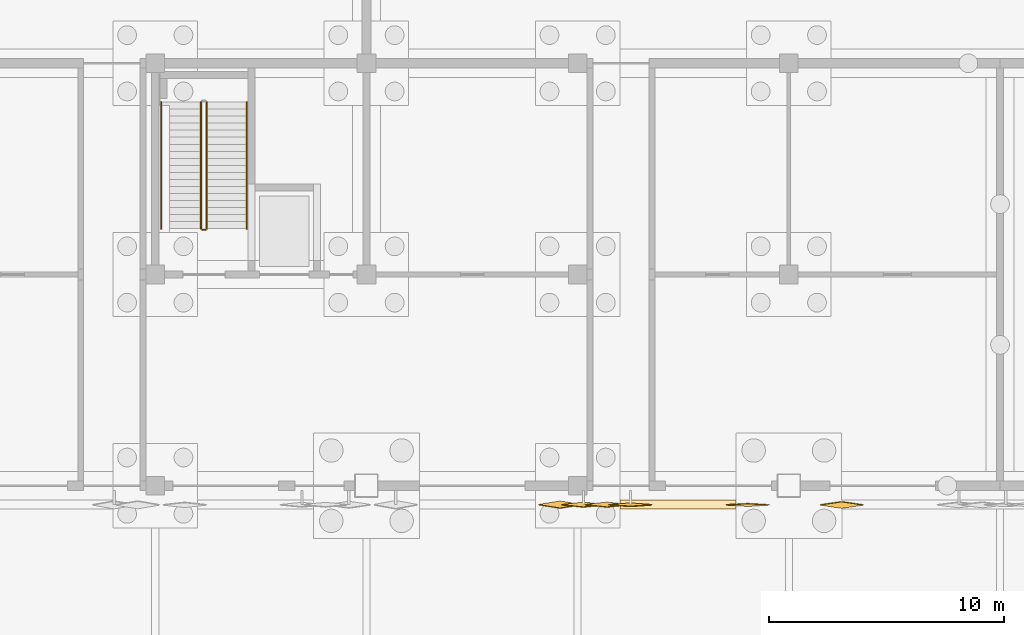
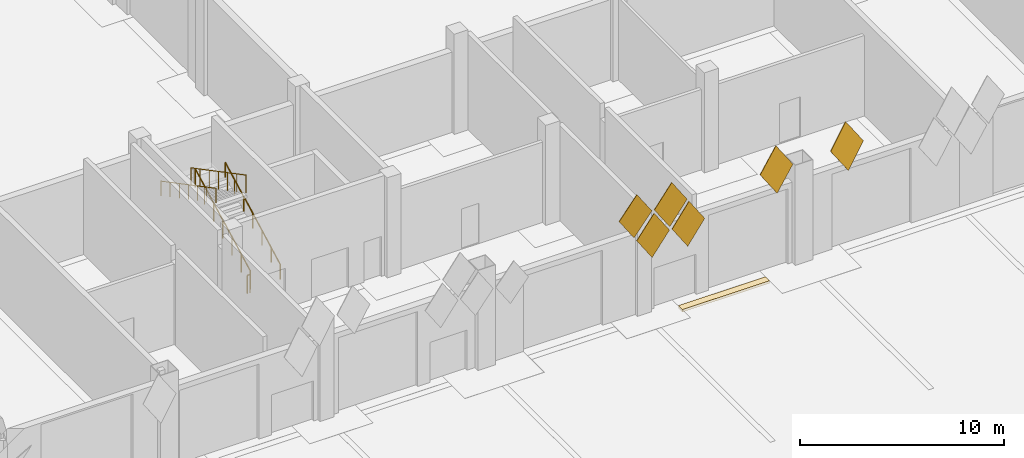
# One storey, part 160 of 198: 7 coverings, 5 railings.
"""IFC4 building model written with IfcOpenShell, lengths in metres."""

from ifc_helpers import new_model, si_unit, direction, frame, origin, origin_2d, place, context, subcontext, project, spatial, polyline, circle, outline, extrude, material, layer, layer_set, constituent, constituent_set, material_profile, profile_set, type_object, element, save


model = new_model("IFC4")

# Units and contexts
model_context = context("Model", 3, precision=1e-05, world=origin(), true_north=direction((0.0, 1.0)))
body_context = subcontext(model_context, "Body", "Model", "MODEL_VIEW")
ifc_project = project(units=[si_unit("LENGTHUNIT", "METRE"), si_unit("AREAUNIT", "SQUARE_METRE"), si_unit("VOLUMEUNIT", "CUBIC_METRE"), si_unit("PLANEANGLEUNIT", "RADIAN"), si_unit("MASSUNIT", "GRAM", prefix="KILO")], contexts=[model_context])

# Site, building, storey
site_placement = place(None, origin())
site = spatial("IfcSite", under=ifc_project, at=site_placement, CompositionType="ELEMENT")
building_placement = place(site_placement, origin())
building = spatial("IfcBuilding", under=site, at=building_placement, Name="Opaline Strait Convention Centre", CompositionType="ELEMENT")
storey_placement = place(building_placement, origin())
storey = spatial("IfcBuildingStorey", under=building, at=storey_placement, Name="L00", CompositionType="ELEMENT", Elevation=0.0)

# Coverings
ifc_material_1 = material(Name="White ceramic-faced aluminium tile", Category="aluminium")
ifc_material_profile_1 = material_profile(ifc_material_1, outline(polyline([(0.927978515625, 0.0), (0.0, 1.39208984375), (-0.927978515625, 0.0), (0.0, -1.39208984375), (0.927978515625, 0.0)])), Name="Diamond tile 1856x2784")
ifc_profile_set_1 = profile_set([ifc_material_profile_1], Name="White ceramic-faced aluminium tile")
covering_type_1 = type_object("IfcCoveringType", Name="Diamond wall tile 1856x2784x30 pivot 2.5 deg", PredefinedType="CLADDING", material=ifc_profile_set_1)
for number, where, z_axis, x_axis, name in (
    (1, (218.25, 53.199951171875, 4.89208984375), (0.0, -0.998812351125, -0.048722553713), (1.0, 0.0, 0.0), "Wall tile XT05 S"),
    (2, (223.25, 53.199951171875, 6.39208984375), (0.0, -0.999174794796, 0.040616861577), (1.0, 0.0, 0.0), "Wall tile XT05 S"),
):
    element("IfcCovering", number, at=place(storey_placement, frame(where, z_axis=z_axis, x_axis=x_axis)), inside=storey, type_object=covering_type_1, Name=name, PredefinedType="CLADDING", context=body_context, shape_type="SweptSolid", body=[
        extrude(outline(polyline([(0.927978515625, 0.0), (0.0, 1.39208984375), (-0.927978515625, 0.0), (0.0, -1.39208984375), (0.927978515625, 0.0)])), origin(), (0.0, 0.0, 1.0), 0.030029296875),
    ])
ifc_material_profile_2 = material_profile(ifc_material_1, outline(polyline([(0.927978515625, 0.0), (0.0, 1.39208984375), (-0.927978515625, 0.0), (0.0, -1.39208984375), (0.927978515625, 0.0)])), Name="Diamond tile 1856x2784")
ifc_profile_set_2 = profile_set([ifc_material_profile_2], Name="White ceramic-faced aluminium tile")
covering_type_2 = type_object("IfcCoveringType", Name="Diamond wall tile 1856x2784x30 pivot 4 deg", PredefinedType="CLADDING", material=ifc_profile_set_2)
for number, where, z_axis, x_axis, name in (
    (3, (216.25, 53.199951171875, 4.89208984375), (0.0, -0.997290013252, -0.073570574748), (1.0, 0.0, 0.0), "Wall tile XT08 S"),
    (4, (217.25, 53.199951171875, 6.39208984375), (0.0, -0.997290013252, -0.073570574748), (1.0, 0.0, 0.0), "Wall tile XT08 S"),
):
    element("IfcCovering", number, at=place(storey_placement, frame(where, z_axis=z_axis, x_axis=x_axis)), inside=storey, type_object=covering_type_2, Name=name, PredefinedType="CLADDING", context=body_context, shape_type="SweptSolid", body=[
        extrude(outline(polyline([(0.927978515625, 0.0), (0.0, 1.39208984375), (-0.927978515625, 0.0), (0.0, -1.39208984375), (0.927978515625, 0.0)])), origin(), (0.0, 0.0, 1.0), 0.02978515625),
    ])
ifc_material_profile_3 = material_profile(ifc_material_1, outline(polyline([(0.927978515625, 0.0), (0.0, 1.39208984375), (-0.927978515625, 0.0), (0.0, -1.39208984375), (0.927978515625, 0.0)])), Name="Diamond tile 1856x2784")
ifc_profile_set_3 = profile_set([ifc_material_profile_3], Name="White ceramic-faced aluminium tile")
covering_type_3 = type_object("IfcCoveringType", Name="Diamond wall tile 1856x2784x30 pivot 6 deg", PredefinedType="CLADDING", material=ifc_profile_set_3)
for number, where, z_axis, x_axis, name in (
    (5, (215.25, 53.199951171875, 6.39208984375), (0.0, -0.994370656274, -0.105957528947), (1.0, 0.0, 0.0), "Wall tile XT12 S"),
    (6, (227.25, 53.199951171875, 6.39208984375), (0.0, -0.995197410875, 0.097888269922), (1.0, 0.0, 0.0), "Wall tile XT12 S"),
):
    element("IfcCovering", number, at=place(storey_placement, frame(where, z_axis=z_axis, x_axis=x_axis)), inside=storey, type_object=covering_type_3, Name=name, PredefinedType="CLADDING", context=body_context, shape_type="SweptSolid", body=[
        extrude(outline(polyline([(0.927978515625, 0.0), (0.0, 1.39208984375), (-0.927978515625, 0.0), (0.0, -1.39208984375), (0.927978515625, 0.0)])), origin(), (0.0, 0.0, 1.0), 0.030029296875),
    ])
ifc_material_2 = material(Name="Concrete C30 exposed aggregate", Category="concrete")
ifc_layer = layer(ifc_material_2, 0.14990234375)
ifc_layer_set = layer_set([ifc_layer], Name="Concrete C30 exposed aggregate")
covering_type_4 = type_object("IfcCoveringType", Name="Site paving 150", PredefinedType="FLOORING", material=ifc_layer_set)
covering_placement = place(storey_placement, frame((0.0, 0.0, -0.14990234375)))
element("IfcCovering", 7, at=covering_placement, inside=storey, type_object=covering_type_4, Name="Site paving surfacing", PredefinedType="FLOORING", context=body_context, shape_type="SweptSolid", body=[
    extrude(outline(polyline([(217.804931640625, 53.39501953125), (217.804931640625, 53.0), (222.7451171875, 53.0), (222.7451171875, 53.39501953125), (217.804931640625, 53.39501953125)])), origin(), (0.0, 0.0, 1.0), 0.14990234375),
])

# Railings
ifc_material_3 = material(Name="Steel Q235B", Category="steel")
ifc_constituent_1 = constituent(ifc_material_3, Name="Frame")
ifc_material_4 = material(Name="Safety glass, bonded interlayer", Category="glass")
ifc_constituent_2 = constituent(ifc_material_4, Name="Infill")
ifc_constituent_set = constituent_set(constituents=[ifc_constituent_1, ifc_constituent_2], Name="Steel Q235B, Safety glass, bonded interlayer")
railing_type_1 = type_object("IfcRailingType", Name="Stair guard 1100 steel and glass", PredefinedType="GUARDRAIL", material=ifc_constituent_set)
railing_1_placement = place(storey_placement, frame((200.199951171875, 64.949951171875, 0.157958984375)))
element("IfcRailing", 8, at=railing_1_placement, inside=storey, type_object=railing_type_1, Name="L00 XST3 stair guard 1", PredefinedType="GUARDRAIL", context=body_context, shape_type="SweptSolid", body=[
    extrude(circle(Radius=0.02392578125, at=origin_2d()), frame((0.0, 0.0, 1.076171875), z_axis=(0.0, 0.884927768474, 0.465728294806), x_axis=(-1.0, 0.0, 0.0)), (0.0, 0.0, 1.0), 6.102294921875),
    extrude(circle(Radius=0.02099609375, at=origin_2d()), origin(), (0.0, 0.0, 1.0), 1.052001953125),
    extrude(circle(Radius=0.02099609375, at=origin_2d()), frame((0.0, 0.89990234375, 0.4736328125)), (0.0, 0.0, 1.0), 1.052001953125),
    extrude(circle(Radius=0.02099609375, at=origin_2d()), frame((0.0, 1.800048828125, 0.947265625)), (0.0, 0.0, 1.0), 1.052001953125),
    extrude(circle(Radius=0.02099609375, at=origin_2d()), frame((0.0, 2.7001953125, 1.4208984375)), (0.0, 0.0, 1.0), 1.052001953125),
    extrude(circle(Radius=0.02099609375, at=origin_2d()), frame((0.0, 3.60009765625, 1.894775390625)), (0.0, 0.0, 1.0), 1.052001953125),
    extrude(circle(Radius=0.02099609375, at=origin_2d()), frame((0.0, 4.5, 2.368408203125)), (0.0, 0.0, 1.0), 1.052001953125),
    extrude(circle(Radius=0.02099609375, at=origin_2d()), frame((0.0, 5.400146484375, 2.842041015625)), (0.0, 0.0, 1.0), 1.052001953125),
])
railing_2_placement = place(storey_placement, frame((199.949951171875, 70.35009765625, 3.157958984375)))
element("IfcRailing", 9, at=railing_2_placement, inside=storey, type_object=railing_type_1, Name="L00 XST3 stair guard 3", PredefinedType="GUARDRAIL", context=body_context, shape_type="SweptSolid", body=[
    extrude(circle(Radius=0.02392578125, at=origin_2d()), frame((0.0, 0.0, 1.076171875), z_axis=(0.0, -0.884927768474, 0.465728294806), x_axis=(1.0, 0.0, 0.0)), (0.0, 0.0, 1.0), 6.102294921875),
    extrude(circle(Radius=0.02099609375, at=origin_2d()), origin(), (0.0, 0.0, 1.0), 1.052001953125),
    extrude(circle(Radius=0.02099609375, at=origin_2d()), frame((0.0, -0.89990234375, 0.4736328125)), (0.0, 0.0, 1.0), 1.052001953125),
    extrude(circle(Radius=0.02099609375, at=origin_2d()), frame((0.0, -1.800048828125, 0.947265625)), (0.0, 0.0, 1.0), 1.052001953125),
    extrude(circle(Radius=0.02099609375, at=origin_2d()), frame((0.0, -2.7001953125, 1.4208984375)), (0.0, 0.0, 1.0), 1.052001953125),
    extrude(circle(Radius=0.02099609375, at=origin_2d()), frame((0.0, -3.60009765625, 1.894775390625)), (0.0, 0.0, 1.0), 1.052001953125),
    extrude(circle(Radius=0.02099609375, at=origin_2d()), frame((0.0, -4.5, 2.368408203125)), (0.0, 0.0, 1.0), 1.052001953125),
    extrude(circle(Radius=0.02099609375, at=origin_2d()), frame((0.0, -5.400146484375, 2.842041015625)), (0.0, 0.0, 1.0), 1.052001953125),
])
railing_3_placement = place(storey_placement, frame((200.14990234375, 64.89990234375, 0.0)))
element("IfcRailing", 10, at=railing_3_placement, inside=storey, type_object=railing_type_1, Name="L00 XST3 stair guard 4", PredefinedType="GUARDRAIL", context=body_context, shape_type="SweptSolid", body=[
    extrude(circle(Radius=0.02392578125, at=origin_2d()), frame((0.0, 0.0, 1.076171875), z_axis=(-1.0, 0.0, 0.0), x_axis=(0.0, -1.0, 0.0)), (0.0, 0.0, 1.0), 0.14990234375),
    extrude(circle(Radius=0.02099609375, at=origin_2d()), origin(), (0.0, 0.0, 1.0), 1.052001953125),
    extrude(circle(Radius=0.02099609375, at=origin_2d()), frame((-0.14990234375, 0.0, 0.0)), (0.0, 0.0, 1.0), 1.052001953125),
])
ifc_material_5 = material(Name="Stainless steel 304", Category="steel")
railing_type_2 = type_object("IfcRailingType", Name="Stair handrail 900", PredefinedType="HANDRAIL", material=ifc_material_5)
railing_4_placement = place(storey_placement, frame((201.89990234375, 64.949951171875, 0.157958984375)))
element("IfcRailing", 11, at=railing_4_placement, inside=storey, type_object=railing_type_2, Name="L00 XST3 stair handrail 1", PredefinedType="HANDRAIL", context=body_context, shape_type="SweptSolid", body=[
    extrude(circle(Radius=0.02392578125, at=origin_2d()), frame((0.0, 0.0, 0.8759765625), z_axis=(0.0, 0.884927768474, 0.465728294806), x_axis=(-1.0, 0.0, 0.0)), (0.0, 0.0, 1.0), 6.102294921875),
    extrude(circle(Radius=0.02099609375, at=origin_2d()), origin(), (0.0, 0.0, 1.0), 0.851806640625),
    extrude(circle(Radius=0.02099609375, at=origin_2d()), frame((0.0, 0.89990234375, 0.4736328125)), (0.0, 0.0, 1.0), 0.851806640625),
    extrude(circle(Radius=0.02099609375, at=origin_2d()), frame((0.0, 1.800048828125, 0.947265625)), (0.0, 0.0, 1.0), 0.851806640625),
    extrude(circle(Radius=0.02099609375, at=origin_2d()), frame((0.0, 2.7001953125, 1.4208984375)), (0.0, 0.0, 1.0), 0.851806640625),
    extrude(circle(Radius=0.02099609375, at=origin_2d()), frame((0.0, 3.60009765625, 1.894775390625)), (0.0, 0.0, 1.0), 0.851806640625),
    extrude(circle(Radius=0.02099609375, at=origin_2d()), frame((0.0, 4.5, 2.368408203125)), (0.0, 0.0, 1.0), 0.851806640625),
    extrude(circle(Radius=0.02099609375, at=origin_2d()), frame((0.0, 5.400146484375, 2.842041015625)), (0.0, 0.0, 1.0), 0.851806640625),
])
railing_5_placement = place(storey_placement, frame((198.25, 70.35009765625, 3.157958984375)))
element("IfcRailing", 12, at=railing_5_placement, inside=storey, type_object=railing_type_2, Name="L00 XST3 stair handrail 2", PredefinedType="HANDRAIL", context=body_context, shape_type="SweptSolid", body=[
    extrude(circle(Radius=0.02392578125, at=origin_2d()), frame((0.0, 0.0, 0.8759765625), z_axis=(0.0, -0.884927768474, 0.465728294806), x_axis=(1.0, 0.0, 0.0)), (0.0, 0.0, 1.0), 6.102294921875),
    extrude(circle(Radius=0.02099609375, at=origin_2d()), origin(), (0.0, 0.0, 1.0), 0.851806640625),
    extrude(circle(Radius=0.02099609375, at=origin_2d()), frame((0.0, -0.89990234375, 0.4736328125)), (0.0, 0.0, 1.0), 0.851806640625),
    extrude(circle(Radius=0.02099609375, at=origin_2d()), frame((0.0, -1.800048828125, 0.947265625)), (0.0, 0.0, 1.0), 0.851806640625),
    extrude(circle(Radius=0.02099609375, at=origin_2d()), frame((0.0, -2.7001953125, 1.4208984375)), (0.0, 0.0, 1.0), 0.851806640625),
    extrude(circle(Radius=0.02099609375, at=origin_2d()), frame((0.0, -3.60009765625, 1.894775390625)), (0.0, 0.0, 1.0), 0.851806640625),
    extrude(circle(Radius=0.02099609375, at=origin_2d()), frame((0.0, -4.5, 2.368408203125)), (0.0, 0.0, 1.0), 0.851806640625),
    extrude(circle(Radius=0.02099609375, at=origin_2d()), frame((0.0, -5.400146484375, 2.842041015625)), (0.0, 0.0, 1.0), 0.851806640625),
])

save(model, "model.ifc")
